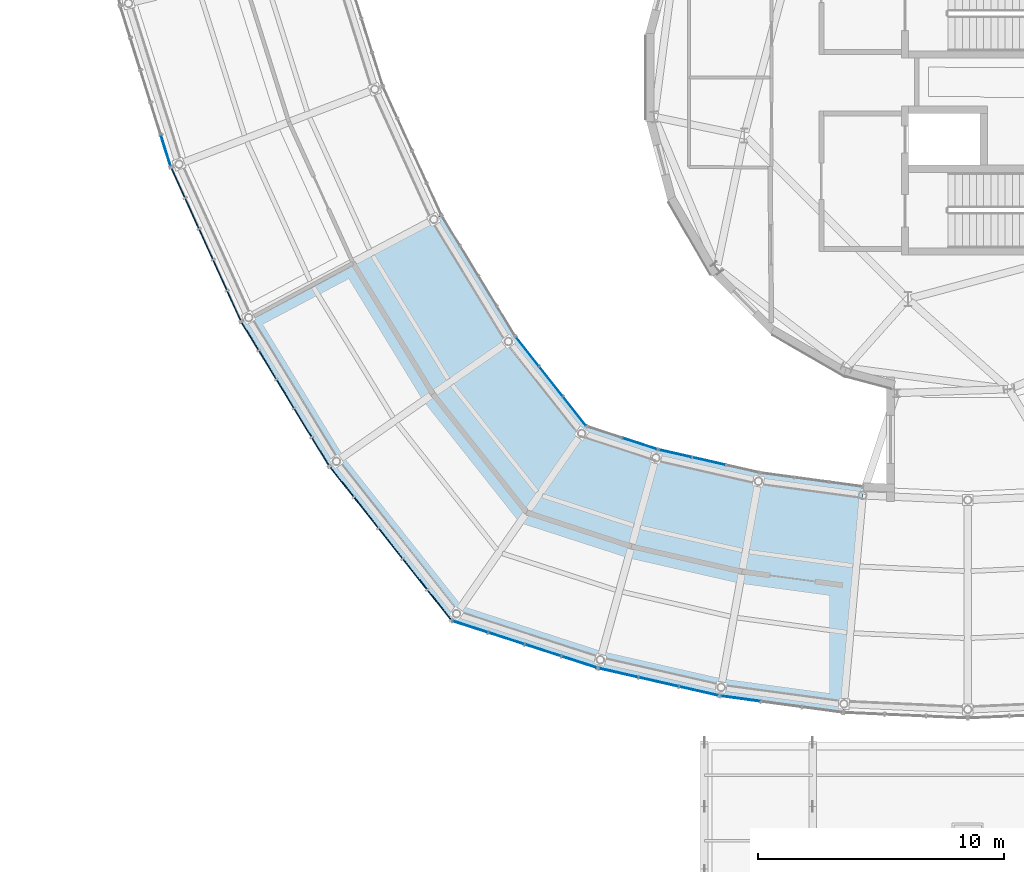
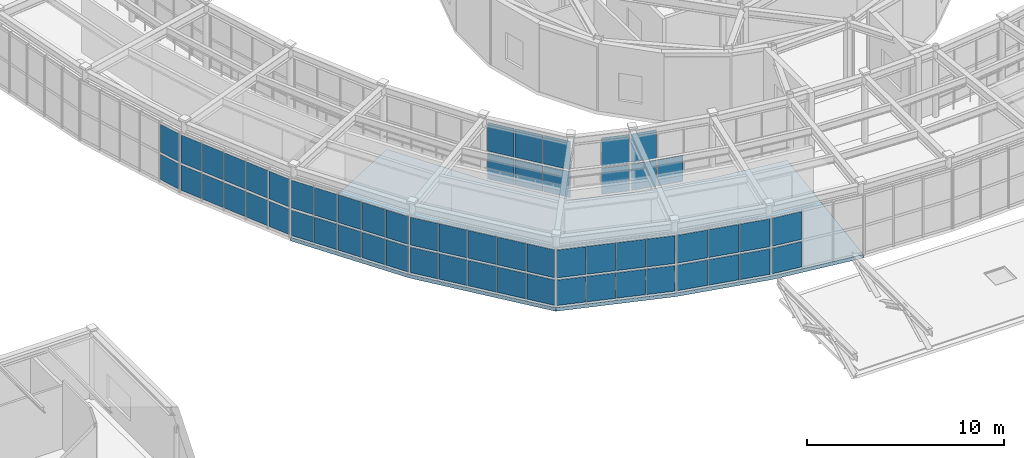
# One storey, part 56 of 103: 59 plates, 1 slab, 10 elements without a shape of their own.
"""IFC4 building model written with IfcOpenShell, lengths in metres."""

from ifc_helpers import new_model, si_unit, direction, frame, origin, origin_2d, place, context, subcontext, project, spatial, polyline, rectangle, outline, extrude, material, layer, layer_set, type_object, element, aggregate, save


model = new_model("IFC4")

# Units and contexts
model_context = context("Model", 3, precision=1e-05, world=origin(), true_north=direction((0.0, 1.0)))
body_context = subcontext(model_context, "Body", "Model", "MODEL_VIEW")
ifc_project = project(units=[si_unit("LENGTHUNIT", "METRE"), si_unit("AREAUNIT", "SQUARE_METRE"), si_unit("VOLUMEUNIT", "CUBIC_METRE"), si_unit("PLANEANGLEUNIT", "RADIAN"), si_unit("MASSUNIT", "GRAM", prefix="KILO")], contexts=[model_context])

# Site, building, storey
site_placement = place(None, origin())
site = spatial("IfcSite", under=ifc_project, at=site_placement, CompositionType="ELEMENT")
building_placement = place(site_placement, origin())
building = spatial("IfcBuilding", under=site, at=building_placement, Name="Varnklinge Art Gallery", CompositionType="ELEMENT")
storey_placement = place(building_placement, frame((0.0, 0.0, 5.10009765625)))
storey = spatial("IfcBuildingStorey", under=building, at=storey_placement, Name="L01", CompositionType="ELEMENT", Elevation=5.10009765625)

# Curtain wall, plates
ifc_material_1 = material(Name="Anodised Aluminium", Category="aluminium")
curtain_wall_type_1 = type_object("IfcCurtainWallType", Name="CW-R04", PredefinedType="USERDEFINED", material=ifc_material_1)
curtain_wall_1_placement = place(storey_placement, origin())
curtain_wall_1 = element("IfcCurtainWall", 1, at=curtain_wall_1_placement, inside=storey, type_object=curtain_wall_type_1, Name="L01 Curtain Wall CW-V2I-L01-32", ObjectType="UNITISED CURTAIN WALL", PredefinedType="USERDEFINED")
ifc_material_2 = material(Name="Insulated Low-E Triple Glazing", Category="glass")
ifc_layer_1 = layer(ifc_material_2, 0.031982421875)
ifc_layer_set_1 = layer_set([ifc_layer_1], Name="Insulated Low-E Triple Glazing")
plate_type_1 = type_object("IfcPlateType", Name="GLZ-32", PredefinedType="CURTAIN_PANEL", material=ifc_layer_set_1)
plate_1_placement = place(storey_placement, frame((59.52294921875, 24.866455078125, 0.11767578125), z_axis=(0.0, 0.0, 1.0), x_axis=(-0.620737354217, 0.784018582101, 0.0)))
plate_1 = element("IfcPlate", 2, at=plate_1_placement, type_object=plate_type_1, Name="CW-V2I-L01-32 Glazing Panel 1.1", PredefinedType="CURTAIN_PANEL", context=body_context, shape_type="SweptSolid", body=[
    extrude(rectangle(XDim=1.4658203125, YDim=0.031982421875, at=origin_2d()), origin(), (0.0, 0.0, 1.0), 1.614501953125),
])
plate_2_placement = place(storey_placement, frame((59.52294921875, 24.866455078125, 1.84814453125), z_axis=(0.0, 0.0, 1.0), x_axis=(-0.620737354217, 0.784018582101, 0.0)))
plate_2 = element("IfcPlate", 3, at=plate_2_placement, type_object=plate_type_1, Name="CW-V2I-L01-32 Glazing Panel 1.2", PredefinedType="CURTAIN_PANEL", context=body_context, shape_type="SweptSolid", body=[
    extrude(rectangle(XDim=1.4658203125, YDim=0.031982421875, at=origin_2d()), origin(), (0.0, 0.0, 1.0), 1.763671875),
])
plate_3_placement = place(storey_placement, frame((58.569091796875, 26.0712890625, 0.11767578125), z_axis=(0.0, 0.0, 1.0), x_axis=(-0.620737354217, 0.784018582101, 0.0)))
plate_3 = element("IfcPlate", 4, at=plate_3_placement, type_object=plate_type_1, Name="CW-V2I-L01-32 Glazing Panel 2.1", PredefinedType="CURTAIN_PANEL", context=body_context, shape_type="SweptSolid", body=[
    extrude(rectangle(XDim=1.495849609375, YDim=0.031982421875, at=origin_2d()), origin(), (0.0, 0.0, 1.0), 1.614501953125),
])
plate_4_placement = place(storey_placement, frame((58.569091796875, 26.0712890625, 1.84814453125), z_axis=(0.0, 0.0, 1.0), x_axis=(-0.620737354217, 0.784018582101, 0.0)))
plate_4 = element("IfcPlate", 5, at=plate_4_placement, type_object=plate_type_1, Name="CW-V2I-L01-32 Glazing Panel 2.2", PredefinedType="CURTAIN_PANEL", context=body_context, shape_type="SweptSolid", body=[
    extrude(rectangle(XDim=1.495849609375, YDim=0.031982421875, at=origin_2d()), origin(), (0.0, 0.0, 1.0), 1.763671875),
])
plate_5_placement = place(storey_placement, frame((57.614990234375, 27.2763671875, 0.11767578125), z_axis=(0.0, 0.0, 1.0), x_axis=(-0.620737354217, 0.784018582101, 0.0)))
plate_5 = element("IfcPlate", 6, at=plate_5_placement, type_object=plate_type_1, Name="CW-V2I-L01-32 Glazing Panel 3.1", PredefinedType="CURTAIN_PANEL", context=body_context, shape_type="SweptSolid", body=[
    extrude(rectangle(XDim=1.4658203125, YDim=0.031982421875, at=origin_2d()), origin(), (0.0, 0.0, 1.0), 1.614501953125),
])
plate_6_placement = place(storey_placement, frame((57.614990234375, 27.2763671875, 1.84814453125), z_axis=(0.0, 0.0, 1.0), x_axis=(-0.620737354217, 0.784018582101, 0.0)))
plate_6 = element("IfcPlate", 7, at=plate_6_placement, type_object=plate_type_1, Name="CW-V2I-L01-32 Glazing Panel 3.2", PredefinedType="CURTAIN_PANEL", context=body_context, shape_type="SweptSolid", body=[
    extrude(rectangle(XDim=1.4658203125, YDim=0.031982421875, at=origin_2d()), origin(), (0.0, 0.0, 1.0), 1.763671875),
])
aggregate(curtain_wall_1, [plate_1, plate_2, plate_3, plate_4, plate_5, plate_6])

curtain_wall_2_placement = place(storey_placement, origin())
curtain_wall_2 = element("IfcCurtainWall", 8, at=curtain_wall_2_placement, inside=storey, type_object=curtain_wall_type_1, Name="L01 Curtain Wall CW-V2I-L01-33", ObjectType="UNITISED CURTAIN WALL", PredefinedType="USERDEFINED")
plate_7_placement = place(storey_placement, frame((62.180419921875, 23.54443359375, 0.11767578125), z_axis=(0.0, 0.0, 1.0), x_axis=(-0.951272019071, 0.30835295642, 0.0)))
plate_7 = element("IfcPlate", 9, at=plate_7_placement, type_object=plate_type_1, Name="CW-V2I-L01-33 Glazing Panel 1.1", PredefinedType="CURTAIN_PANEL", context=body_context, shape_type="SweptSolid", body=[
    extrude(rectangle(XDim=1.442138671875, YDim=0.031982421875, at=origin_2d()), origin(), (0.0, 0.0, 1.0), 1.614501953125),
])
plate_8_placement = place(storey_placement, frame((62.180419921875, 23.54443359375, 1.84814453125), z_axis=(0.0, 0.0, 1.0), x_axis=(-0.951272019071, 0.30835295642, 0.0)))
plate_8 = element("IfcPlate", 10, at=plate_8_placement, type_object=plate_type_1, Name="CW-V2I-L01-33 Glazing Panel 1.2", PredefinedType="CURTAIN_PANEL", context=body_context, shape_type="SweptSolid", body=[
    extrude(rectangle(XDim=1.442138671875, YDim=0.031982421875, at=origin_2d()), origin(), (0.0, 0.0, 1.0), 1.763671875),
])
aggregate(curtain_wall_2, [plate_7, plate_8])

curtain_wall_3_placement = place(storey_placement, origin())
curtain_wall_3 = element("IfcCurtainWall", 11, at=curtain_wall_3_placement, inside=storey, type_object=curtain_wall_type_1, Name="L01 Curtain Wall CW-V2I-L01-34", ObjectType="UNITISED CURTAIN WALL", PredefinedType="USERDEFINED")
plate_9_placement = place(storey_placement, frame((64.989501953125, 22.83349609375, 0.11767578125), z_axis=(0.0, 0.0, 1.0), x_axis=(-0.975071959883, 0.221888875454, 0.0)))
plate_9 = element("IfcPlate", 12, at=plate_9_placement, type_object=plate_type_1, Name="CW-V2I-L01-34 Glazing Panel 2.1", PredefinedType="CURTAIN_PANEL", context=body_context, shape_type="SweptSolid", body=[
    extrude(rectangle(XDim=1.358154296875, YDim=0.031982421875, at=origin_2d()), origin(), (0.0, 0.0, 1.0), 1.614501953125),
])
plate_10_placement = place(storey_placement, frame((63.62548828125, 23.143798828125, 0.11767578125), z_axis=(0.0, 0.0, 1.0), x_axis=(-0.975071959883, 0.221888875454, 0.0)))
plate_10 = element("IfcPlate", 13, at=plate_10_placement, type_object=plate_type_1, Name="CW-V2I-L01-34 Glazing Panel 3.1", PredefinedType="CURTAIN_PANEL", context=body_context, shape_type="SweptSolid", body=[
    extrude(rectangle(XDim=1.328125, YDim=0.031982421875, at=origin_2d()), origin(), (0.0, 0.0, 1.0), 1.614501953125),
])
plate_11_placement = place(storey_placement, frame((63.62548828125, 23.143798828125, 1.84814453125), z_axis=(0.0, 0.0, 1.0), x_axis=(-0.975071959883, 0.221888875454, 0.0)))
plate_11 = element("IfcPlate", 14, at=plate_11_placement, type_object=plate_type_1, Name="CW-V2I-L01-34 Glazing Panel 3.2", PredefinedType="CURTAIN_PANEL", context=body_context, shape_type="SweptSolid", body=[
    extrude(rectangle(XDim=1.328125, YDim=0.031982421875, at=origin_2d()), origin(), (0.0, 0.0, 1.0), 1.763671875),
])
aggregate(curtain_wall_3, [plate_9, plate_10, plate_11])

ifc_material_3 = material(Name="Anodised Aluminium", Category="aluminium")
curtain_wall_type_2 = type_object("IfcCurtainWallType", Name="CW-R02", PredefinedType="USERDEFINED", material=ifc_material_3)
curtain_wall_4_placement = place(storey_placement, origin())
curtain_wall_4 = element("IfcCurtainWall", 15, at=curtain_wall_4_placement, inside=storey, type_object=curtain_wall_type_2, Name="L01 Curtain Wall CW-V2O-L01-29", ObjectType="UNITISED CURTAIN WALL", PredefinedType="USERDEFINED")
ifc_material_4 = material(Name="Insulated Low-E Triple Glazing", Category="glass")
ifc_layer_2 = layer(ifc_material_4, 0.0380859375)
ifc_layer_set_2 = layer_set([ifc_layer_2], Name="Insulated Low-E Triple Glazing")
plate_type_2 = type_object("IfcPlateType", Name="GLZ-38", PredefinedType="CURTAIN_PANEL", material=ifc_layer_set_2)
plate_12_placement = place(storey_placement, frame((42.915283203125, 35.450439453125, 0.14794921875), z_axis=(0.0, 0.0, 1.0), x_axis=(0.299706904751, -0.954031326134, 0.0)))
plate_12 = element("IfcPlate", 16, at=plate_12_placement, type_object=plate_type_2, Name="CW-V2O-L01-29 Glazing Panel 5.1", PredefinedType="CURTAIN_PANEL", context=body_context, shape_type="SweptSolid", body=[
    extrude(rectangle(XDim=1.2841796875, YDim=0.0380859375, at=origin_2d()), origin(), (0.0, 0.0, 1.0), 1.5693359375),
])
plate_13_placement = place(storey_placement, frame((42.915283203125, 35.450439453125, 1.86328125), z_axis=(0.0, 0.0, 1.0), x_axis=(0.299706904751, -0.954031326134, 0.0)))
plate_13 = element("IfcPlate", 17, at=plate_13_placement, type_object=plate_type_2, Name="CW-V2O-L01-29 Glazing Panel 5.2", PredefinedType="CURTAIN_PANEL", context=body_context, shape_type="SweptSolid", body=[
    extrude(rectangle(XDim=1.2841796875, YDim=0.0380859375, at=origin_2d()), origin(), (0.0, 0.0, 1.0), 1.718505859375),
])
aggregate(curtain_wall_4, [plate_12, plate_13])

curtain_wall_5_placement = place(storey_placement, origin())
curtain_wall_5 = element("IfcCurtainWall", 18, at=curtain_wall_5_placement, inside=storey, type_object=curtain_wall_type_2, Name="L01 Curtain Wall CW-V2O-L01-30", ObjectType="UNITISED CURTAIN WALL", PredefinedType="USERDEFINED")
plate_14_placement = place(storey_placement, frame((43.418212890625, 34.1357421875, 0.14794921875), z_axis=(0.0, 0.0, 1.0), x_axis=(0.413422293217, -0.910539404678, 0.0)))
plate_14 = element("IfcPlate", 19, at=plate_14_placement, type_object=plate_type_2, Name="CW-V2O-L01-30 Glazing Panel 1.1", PredefinedType="CURTAIN_PANEL", context=body_context, shape_type="SweptSolid", body=[
    extrude(rectangle(XDim=1.2841796875, YDim=0.0380859375, at=origin_2d()), origin(), (0.0, 0.0, 1.0), 1.5693359375),
])
plate_15_placement = place(storey_placement, frame((43.418212890625, 34.1357421875, 1.86328125), z_axis=(0.0, 0.0, 1.0), x_axis=(0.413422293217, -0.910539404678, 0.0)))
plate_15 = element("IfcPlate", 20, at=plate_15_placement, type_object=plate_type_2, Name="CW-V2O-L01-30 Glazing Panel 1.2", PredefinedType="CURTAIN_PANEL", context=body_context, shape_type="SweptSolid", body=[
    extrude(rectangle(XDim=1.2841796875, YDim=0.0380859375, at=origin_2d()), origin(), (0.0, 0.0, 1.0), 1.718505859375),
])
plate_16_placement = place(storey_placement, frame((43.98095703125, 32.89599609375, 0.14794921875), z_axis=(0.0, 0.0, 1.0), x_axis=(0.413422293217, -0.910539404678, 0.0)))
plate_16 = element("IfcPlate", 21, at=plate_16_placement, type_object=plate_type_2, Name="CW-V2O-L01-30 Glazing Panel 2.1", PredefinedType="CURTAIN_PANEL", context=body_context, shape_type="SweptSolid", body=[
    extrude(rectangle(XDim=1.31689453125, YDim=0.0380859375, at=origin_2d()), origin(), (0.0, 0.0, 1.0), 1.5693359375),
])
plate_17_placement = place(storey_placement, frame((43.98095703125, 32.89599609375, 1.86328125), z_axis=(0.0, 0.0, 1.0), x_axis=(0.413422293217, -0.910539404678, 0.0)))
plate_17 = element("IfcPlate", 22, at=plate_17_placement, type_object=plate_type_2, Name="CW-V2O-L01-30 Glazing Panel 2.2", PredefinedType="CURTAIN_PANEL", context=body_context, shape_type="SweptSolid", body=[
    extrude(rectangle(XDim=1.31689453125, YDim=0.0380859375, at=origin_2d()), origin(), (0.0, 0.0, 1.0), 1.718505859375),
])
plate_18_placement = place(storey_placement, frame((44.550537109375, 31.6416015625, 0.14794921875), z_axis=(0.0, 0.0, 1.0), x_axis=(0.413422293217, -0.910539404678, 0.0)))
plate_18 = element("IfcPlate", 23, at=plate_18_placement, type_object=plate_type_2, Name="CW-V2O-L01-30 Glazing Panel 3.1", PredefinedType="CURTAIN_PANEL", context=body_context, shape_type="SweptSolid", body=[
    extrude(rectangle(XDim=1.31689453125, YDim=0.0380859375, at=origin_2d()), origin(), (0.0, 0.0, 1.0), 1.5693359375),
])
plate_19_placement = place(storey_placement, frame((44.550537109375, 31.6416015625, 1.86328125), z_axis=(0.0, 0.0, 1.0), x_axis=(0.413422293217, -0.910539404678, 0.0)))
plate_19 = element("IfcPlate", 24, at=plate_19_placement, type_object=plate_type_2, Name="CW-V2O-L01-30 Glazing Panel 3.2", PredefinedType="CURTAIN_PANEL", context=body_context, shape_type="SweptSolid", body=[
    extrude(rectangle(XDim=1.31689453125, YDim=0.0380859375, at=origin_2d()), origin(), (0.0, 0.0, 1.0), 1.718505859375),
])
plate_20_placement = place(storey_placement, frame((45.1201171875, 30.386962890625, 0.14794921875), z_axis=(0.0, 0.0, 1.0), x_axis=(0.413422293217, -0.910539404678, 0.0)))
plate_20 = element("IfcPlate", 25, at=plate_20_placement, type_object=plate_type_2, Name="CW-V2O-L01-30 Glazing Panel 4.1", PredefinedType="CURTAIN_PANEL", context=body_context, shape_type="SweptSolid", body=[
    extrude(rectangle(XDim=1.31689453125, YDim=0.0380859375, at=origin_2d()), origin(), (0.0, 0.0, 1.0), 1.5693359375),
])
plate_21_placement = place(storey_placement, frame((45.1201171875, 30.386962890625, 1.86328125), z_axis=(0.0, 0.0, 1.0), x_axis=(0.413422293217, -0.910539404678, 0.0)))
plate_21 = element("IfcPlate", 26, at=plate_21_placement, type_object=plate_type_2, Name="CW-V2O-L01-30 Glazing Panel 4.2", PredefinedType="CURTAIN_PANEL", context=body_context, shape_type="SweptSolid", body=[
    extrude(rectangle(XDim=1.31689453125, YDim=0.0380859375, at=origin_2d()), origin(), (0.0, 0.0, 1.0), 1.718505859375),
])
plate_22_placement = place(storey_placement, frame((45.68310546875, 29.147216796875, 0.14794921875), z_axis=(0.0, 0.0, 1.0), x_axis=(0.413422293217, -0.910539404678, 0.0)))
plate_22 = element("IfcPlate", 27, at=plate_22_placement, type_object=plate_type_2, Name="CW-V2O-L01-30 Glazing Panel 5.1", PredefinedType="CURTAIN_PANEL", context=body_context, shape_type="SweptSolid", body=[
    extrude(rectangle(XDim=1.2841796875, YDim=0.0380859375, at=origin_2d()), origin(), (0.0, 0.0, 1.0), 1.5693359375),
])
plate_23_placement = place(storey_placement, frame((45.68310546875, 29.147216796875, 1.86328125), z_axis=(0.0, 0.0, 1.0), x_axis=(0.413422293217, -0.910539404678, 0.0)))
plate_23 = element("IfcPlate", 28, at=plate_23_placement, type_object=plate_type_2, Name="CW-V2O-L01-30 Glazing Panel 5.2", PredefinedType="CURTAIN_PANEL", context=body_context, shape_type="SweptSolid", body=[
    extrude(rectangle(XDim=1.2841796875, YDim=0.0380859375, at=origin_2d()), origin(), (0.0, 0.0, 1.0), 1.718505859375),
])
aggregate(curtain_wall_5, [plate_14, plate_15, plate_16, plate_17, plate_18, plate_19, plate_20, plate_21, plate_22, plate_23])

curtain_wall_6_placement = place(storey_placement, origin())
curtain_wall_6 = element("IfcCurtainWall", 29, at=curtain_wall_6_placement, inside=storey, type_object=curtain_wall_type_2, Name="L01 Curtain Wall CW-V2O-L01-31", ObjectType="UNITISED CURTAIN WALL", PredefinedType="USERDEFINED")
plate_24_placement = place(storey_placement, frame((46.341796875, 27.9033203125, 0.14794921875), z_axis=(0.0, 0.0, 1.0), x_axis=(0.520860651188, -0.85364171761, 0.0)))
plate_24 = element("IfcPlate", 30, at=plate_24_placement, type_object=plate_type_2, Name="CW-V2O-L01-31 Glazing Panel 1.1", PredefinedType="CURTAIN_PANEL", context=body_context, shape_type="SweptSolid", body=[
    extrude(rectangle(XDim=1.2841796875, YDim=0.0380859375, at=origin_2d()), origin(), (0.0, 0.0, 1.0), 1.5693359375),
])
plate_25_placement = place(storey_placement, frame((46.341796875, 27.9033203125, 1.86328125), z_axis=(0.0, 0.0, 1.0), x_axis=(0.520860651188, -0.85364171761, 0.0)))
plate_25 = element("IfcPlate", 31, at=plate_25_placement, type_object=plate_type_2, Name="CW-V2O-L01-31 Glazing Panel 1.2", PredefinedType="CURTAIN_PANEL", context=body_context, shape_type="SweptSolid", body=[
    extrude(rectangle(XDim=1.2841796875, YDim=0.0380859375, at=origin_2d()), origin(), (0.0, 0.0, 1.0), 1.718505859375),
])
plate_26_placement = place(storey_placement, frame((47.051025390625, 26.7412109375, 0.14794921875), z_axis=(0.0, 0.0, 1.0), x_axis=(0.520860651188, -0.85364171761, 0.0)))
plate_26 = element("IfcPlate", 32, at=plate_26_placement, type_object=plate_type_2, Name="CW-V2O-L01-31 Glazing Panel 2.1", PredefinedType="CURTAIN_PANEL", context=body_context, shape_type="SweptSolid", body=[
    extrude(rectangle(XDim=1.316650390625, YDim=0.0380859375, at=origin_2d()), origin(), (0.0, 0.0, 1.0), 1.5693359375),
])
plate_27_placement = place(storey_placement, frame((47.051025390625, 26.7412109375, 1.86328125), z_axis=(0.0, 0.0, 1.0), x_axis=(0.520860651188, -0.85364171761, 0.0)))
plate_27 = element("IfcPlate", 33, at=plate_27_placement, type_object=plate_type_2, Name="CW-V2O-L01-31 Glazing Panel 2.2", PredefinedType="CURTAIN_PANEL", context=body_context, shape_type="SweptSolid", body=[
    extrude(rectangle(XDim=1.316650390625, YDim=0.0380859375, at=origin_2d()), origin(), (0.0, 0.0, 1.0), 1.718505859375),
])
plate_28_placement = place(storey_placement, frame((47.768798828125, 25.565185546875, 0.14794921875), z_axis=(0.0, 0.0, 1.0), x_axis=(0.520860651188, -0.85364171761, 0.0)))
plate_28 = element("IfcPlate", 34, at=plate_28_placement, type_object=plate_type_2, Name="CW-V2O-L01-31 Glazing Panel 3.1", PredefinedType="CURTAIN_PANEL", context=body_context, shape_type="SweptSolid", body=[
    extrude(rectangle(XDim=1.316650390625, YDim=0.0380859375, at=origin_2d()), origin(), (0.0, 0.0, 1.0), 1.5693359375),
])
plate_29_placement = place(storey_placement, frame((47.768798828125, 25.565185546875, 1.86328125), z_axis=(0.0, 0.0, 1.0), x_axis=(0.520860651188, -0.85364171761, 0.0)))
plate_29 = element("IfcPlate", 35, at=plate_29_placement, type_object=plate_type_2, Name="CW-V2O-L01-31 Glazing Panel 3.2", PredefinedType="CURTAIN_PANEL", context=body_context, shape_type="SweptSolid", body=[
    extrude(rectangle(XDim=1.316650390625, YDim=0.0380859375, at=origin_2d()), origin(), (0.0, 0.0, 1.0), 1.718505859375),
])
plate_30_placement = place(storey_placement, frame((48.486572265625, 24.38916015625, 0.14794921875), z_axis=(0.0, 0.0, 1.0), x_axis=(0.520860651188, -0.85364171761, 0.0)))
plate_30 = element("IfcPlate", 36, at=plate_30_placement, type_object=plate_type_2, Name="CW-V2O-L01-31 Glazing Panel 4.1", PredefinedType="CURTAIN_PANEL", context=body_context, shape_type="SweptSolid", body=[
    extrude(rectangle(XDim=1.316650390625, YDim=0.0380859375, at=origin_2d()), origin(), (0.0, 0.0, 1.0), 1.5693359375),
])
plate_31_placement = place(storey_placement, frame((48.486572265625, 24.38916015625, 1.86328125), z_axis=(0.0, 0.0, 1.0), x_axis=(0.520860651188, -0.85364171761, 0.0)))
plate_31 = element("IfcPlate", 37, at=plate_31_placement, type_object=plate_type_2, Name="CW-V2O-L01-31 Glazing Panel 4.2", PredefinedType="CURTAIN_PANEL", context=body_context, shape_type="SweptSolid", body=[
    extrude(rectangle(XDim=1.316650390625, YDim=0.0380859375, at=origin_2d()), origin(), (0.0, 0.0, 1.0), 1.718505859375),
])
plate_32_placement = place(storey_placement, frame((49.19580078125, 23.226806640625, 0.14794921875), z_axis=(0.0, 0.0, 1.0), x_axis=(0.520860651188, -0.85364171761, 0.0)))
plate_32 = element("IfcPlate", 38, at=plate_32_placement, type_object=plate_type_2, Name="CW-V2O-L01-31 Glazing Panel 5.1", PredefinedType="CURTAIN_PANEL", context=body_context, shape_type="SweptSolid", body=[
    extrude(rectangle(XDim=1.2841796875, YDim=0.0380859375, at=origin_2d()), origin(), (0.0, 0.0, 1.0), 1.5693359375),
])
plate_33_placement = place(storey_placement, frame((49.19580078125, 23.226806640625, 1.86328125), z_axis=(0.0, 0.0, 1.0), x_axis=(0.520860651188, -0.85364171761, 0.0)))
plate_33 = element("IfcPlate", 39, at=plate_33_placement, type_object=plate_type_2, Name="CW-V2O-L01-31 Glazing Panel 5.2", PredefinedType="CURTAIN_PANEL", context=body_context, shape_type="SweptSolid", body=[
    extrude(rectangle(XDim=1.2841796875, YDim=0.0380859375, at=origin_2d()), origin(), (0.0, 0.0, 1.0), 1.718505859375),
])
aggregate(curtain_wall_6, [plate_24, plate_25, plate_26, plate_27, plate_28, plate_29, plate_30, plate_31, plate_32, plate_33])

curtain_wall_7_placement = place(storey_placement, origin())
curtain_wall_7 = element("IfcCurtainWall", 40, at=curtain_wall_7_placement, inside=storey, type_object=curtain_wall_type_2, Name="L01 Curtain Wall CW-V2O-L01-32", ObjectType="UNITISED CURTAIN WALL", PredefinedType="USERDEFINED")
plate_34_placement = place(storey_placement, frame((50.069580078125, 21.985107421875, 0.14794921875), z_axis=(0.0, 0.0, 1.0), x_axis=(0.620737354217, -0.784018582101, 0.0)))
plate_34 = element("IfcPlate", 41, at=plate_34_placement, type_object=plate_type_2, Name="CW-V2O-L01-32 Glazing Panel 1.1", PredefinedType="CURTAIN_PANEL", context=body_context, shape_type="SweptSolid", body=[
    extrude(rectangle(XDim=1.506591796875, YDim=0.0380859375, at=origin_2d()), origin(), (0.0, 0.0, 1.0), 1.5693359375),
])
plate_35_placement = place(storey_placement, frame((50.069580078125, 21.985107421875, 1.86328125), z_axis=(0.0, 0.0, 1.0), x_axis=(0.620737354217, -0.784018582101, 0.0)))
plate_35 = element("IfcPlate", 42, at=plate_35_placement, type_object=plate_type_2, Name="CW-V2O-L01-32 Glazing Panel 1.2", PredefinedType="CURTAIN_PANEL", context=body_context, shape_type="SweptSolid", body=[
    extrude(rectangle(XDim=1.506591796875, YDim=0.0380859375, at=origin_2d()), origin(), (0.0, 0.0, 1.0), 1.718505859375),
])
plate_36_placement = place(storey_placement, frame((51.052978515625, 20.743408203125, 0.14794921875), z_axis=(0.0, 0.0, 1.0), x_axis=(0.620737354217, -0.784018582101, 0.0)))
plate_36 = element("IfcPlate", 43, at=plate_36_placement, type_object=plate_type_2, Name="CW-V2O-L01-32 Glazing Panel 2.1", PredefinedType="CURTAIN_PANEL", context=body_context, shape_type="SweptSolid", body=[
    extrude(rectangle(XDim=1.5390625, YDim=0.0380859375, at=origin_2d()), origin(), (0.0, 0.0, 1.0), 1.5693359375),
])
plate_37_placement = place(storey_placement, frame((51.052978515625, 20.743408203125, 1.86328125), z_axis=(0.0, 0.0, 1.0), x_axis=(0.620737354217, -0.784018582101, 0.0)))
plate_37 = element("IfcPlate", 44, at=plate_37_placement, type_object=plate_type_2, Name="CW-V2O-L01-32 Glazing Panel 2.2", PredefinedType="CURTAIN_PANEL", context=body_context, shape_type="SweptSolid", body=[
    extrude(rectangle(XDim=1.5390625, YDim=0.0380859375, at=origin_2d()), origin(), (0.0, 0.0, 1.0), 1.718505859375),
])
plate_38_placement = place(storey_placement, frame((52.046142578125, 19.489013671875, 0.14794921875), z_axis=(0.0, 0.0, 1.0), x_axis=(0.620737354217, -0.784018582101, 0.0)))
plate_38 = element("IfcPlate", 45, at=plate_38_placement, type_object=plate_type_2, Name="CW-V2O-L01-32 Glazing Panel 3.1", PredefinedType="CURTAIN_PANEL", context=body_context, shape_type="SweptSolid", body=[
    extrude(rectangle(XDim=1.5390625, YDim=0.0380859375, at=origin_2d()), origin(), (0.0, 0.0, 1.0), 1.5693359375),
])
plate_39_placement = place(storey_placement, frame((52.046142578125, 19.489013671875, 1.86328125), z_axis=(0.0, 0.0, 1.0), x_axis=(0.620737354217, -0.784018582101, 0.0)))
plate_39 = element("IfcPlate", 46, at=plate_39_placement, type_object=plate_type_2, Name="CW-V2O-L01-32 Glazing Panel 3.2", PredefinedType="CURTAIN_PANEL", context=body_context, shape_type="SweptSolid", body=[
    extrude(rectangle(XDim=1.5390625, YDim=0.0380859375, at=origin_2d()), origin(), (0.0, 0.0, 1.0), 1.718505859375),
])
plate_40_placement = place(storey_placement, frame((53.03955078125, 18.234619140625, 0.14794921875), z_axis=(0.0, 0.0, 1.0), x_axis=(0.620737354217, -0.784018582101, 0.0)))
plate_40 = element("IfcPlate", 47, at=plate_40_placement, type_object=plate_type_2, Name="CW-V2O-L01-32 Glazing Panel 4.1", PredefinedType="CURTAIN_PANEL", context=body_context, shape_type="SweptSolid", body=[
    extrude(rectangle(XDim=1.5390625, YDim=0.0380859375, at=origin_2d()), origin(), (0.0, 0.0, 1.0), 1.5693359375),
])
plate_41_placement = place(storey_placement, frame((53.03955078125, 18.234619140625, 1.86328125), z_axis=(0.0, 0.0, 1.0), x_axis=(0.620737354217, -0.784018582101, 0.0)))
plate_41 = element("IfcPlate", 48, at=plate_41_placement, type_object=plate_type_2, Name="CW-V2O-L01-32 Glazing Panel 4.2", PredefinedType="CURTAIN_PANEL", context=body_context, shape_type="SweptSolid", body=[
    extrude(rectangle(XDim=1.5390625, YDim=0.0380859375, at=origin_2d()), origin(), (0.0, 0.0, 1.0), 1.718505859375),
])
plate_42_placement = place(storey_placement, frame((54.022705078125, 16.992919921875, 0.14794921875), z_axis=(0.0, 0.0, 1.0), x_axis=(0.620737354217, -0.784018582101, 0.0)))
plate_42 = element("IfcPlate", 49, at=plate_42_placement, type_object=plate_type_2, Name="CW-V2O-L01-32 Glazing Panel 5.1", PredefinedType="CURTAIN_PANEL", context=body_context, shape_type="SweptSolid", body=[
    extrude(rectangle(XDim=1.506591796875, YDim=0.0380859375, at=origin_2d()), origin(), (0.0, 0.0, 1.0), 1.5693359375),
])
plate_43_placement = place(storey_placement, frame((54.022705078125, 16.992919921875, 1.86328125), z_axis=(0.0, 0.0, 1.0), x_axis=(0.620737354217, -0.784018582101, 0.0)))
plate_43 = element("IfcPlate", 50, at=plate_43_placement, type_object=plate_type_2, Name="CW-V2O-L01-32 Glazing Panel 5.2", PredefinedType="CURTAIN_PANEL", context=body_context, shape_type="SweptSolid", body=[
    extrude(rectangle(XDim=1.506591796875, YDim=0.0380859375, at=origin_2d()), origin(), (0.0, 0.0, 1.0), 1.718505859375),
])
aggregate(curtain_wall_7, [plate_34, plate_35, plate_36, plate_37, plate_38, plate_39, plate_40, plate_41, plate_42, plate_43])

curtain_wall_8_placement = place(storey_placement, origin())
curtain_wall_8 = element("IfcCurtainWall", 51, at=curtain_wall_8_placement, inside=storey, type_object=curtain_wall_type_2, Name="L01 Curtain Wall CW-V2O-L01-33", ObjectType="UNITISED CURTAIN WALL", PredefinedType="USERDEFINED")
plate_44_placement = place(storey_placement, frame((55.288330078125, 16.106689453125, 0.14794921875), z_axis=(0.0, 0.0, 1.0), x_axis=(0.951272019071, -0.30835295642, 0.0)))
plate_44 = element("IfcPlate", 52, at=plate_44_placement, type_object=plate_type_2, Name="CW-V2O-L01-33 Glazing Panel 1.1", PredefinedType="CURTAIN_PANEL", context=body_context, shape_type="SweptSolid", body=[
    extrude(rectangle(XDim=1.469482421875, YDim=0.0380859375, at=origin_2d()), origin(), (0.0, 0.0, 1.0), 1.5693359375),
])
plate_45_placement = place(storey_placement, frame((55.288330078125, 16.106689453125, 1.86328125), z_axis=(0.0, 0.0, 1.0), x_axis=(0.951272019071, -0.30835295642, 0.0)))
plate_45 = element("IfcPlate", 53, at=plate_45_placement, type_object=plate_type_2, Name="CW-V2O-L01-33 Glazing Panel 1.2", PredefinedType="CURTAIN_PANEL", context=body_context, shape_type="SweptSolid", body=[
    extrude(rectangle(XDim=1.469482421875, YDim=0.0380859375, at=origin_2d()), origin(), (0.0, 0.0, 1.0), 1.718505859375),
])
plate_46_placement = place(storey_placement, frame((56.760009765625, 15.6298828125, 0.14794921875), z_axis=(0.0, 0.0, 1.0), x_axis=(0.951272019071, -0.30835295642, 0.0)))
plate_46 = element("IfcPlate", 54, at=plate_46_placement, type_object=plate_type_2, Name="CW-V2O-L01-33 Glazing Panel 2.1", PredefinedType="CURTAIN_PANEL", context=body_context, shape_type="SweptSolid", body=[
    extrude(rectangle(XDim=1.502197265625, YDim=0.0380859375, at=origin_2d()), origin(), (0.0, 0.0, 1.0), 1.5693359375),
])
plate_47_placement = place(storey_placement, frame((56.760009765625, 15.6298828125, 1.86328125), z_axis=(0.0, 0.0, 1.0), x_axis=(0.951272019071, -0.30835295642, 0.0)))
plate_47 = element("IfcPlate", 55, at=plate_47_placement, type_object=plate_type_2, Name="CW-V2O-L01-33 Glazing Panel 2.2", PredefinedType="CURTAIN_PANEL", context=body_context, shape_type="SweptSolid", body=[
    extrude(rectangle(XDim=1.502197265625, YDim=0.0380859375, at=origin_2d()), origin(), (0.0, 0.0, 1.0), 1.718505859375),
])
plate_48_placement = place(storey_placement, frame((58.246826171875, 15.14794921875, 0.14794921875), z_axis=(0.0, 0.0, 1.0), x_axis=(0.951272019071, -0.30835295642, 0.0)))
plate_48 = element("IfcPlate", 56, at=plate_48_placement, type_object=plate_type_2, Name="CW-V2O-L01-33 Glazing Panel 3.1", PredefinedType="CURTAIN_PANEL", context=body_context, shape_type="SweptSolid", body=[
    extrude(rectangle(XDim=1.502197265625, YDim=0.0380859375, at=origin_2d()), origin(), (0.0, 0.0, 1.0), 1.5693359375),
])
plate_49_placement = place(storey_placement, frame((58.246826171875, 15.14794921875, 1.86328125), z_axis=(0.0, 0.0, 1.0), x_axis=(0.951272019071, -0.30835295642, 0.0)))
plate_49 = element("IfcPlate", 57, at=plate_49_placement, type_object=plate_type_2, Name="CW-V2O-L01-33 Glazing Panel 3.2", PredefinedType="CURTAIN_PANEL", context=body_context, shape_type="SweptSolid", body=[
    extrude(rectangle(XDim=1.502197265625, YDim=0.0380859375, at=origin_2d()), origin(), (0.0, 0.0, 1.0), 1.718505859375),
])
plate_50_placement = place(storey_placement, frame((59.718505859375, 14.671142578125, 0.14794921875), z_axis=(0.0, 0.0, 1.0), x_axis=(0.951272019071, -0.30835295642, 0.0)))
plate_50 = element("IfcPlate", 58, at=plate_50_placement, type_object=plate_type_2, Name="CW-V2O-L01-33 Glazing Panel 4.1", PredefinedType="CURTAIN_PANEL", context=body_context, shape_type="SweptSolid", body=[
    extrude(rectangle(XDim=1.469482421875, YDim=0.0380859375, at=origin_2d()), origin(), (0.0, 0.0, 1.0), 1.5693359375),
])
plate_51_placement = place(storey_placement, frame((59.718505859375, 14.671142578125, 1.86328125), z_axis=(0.0, 0.0, 1.0), x_axis=(0.951272019071, -0.30835295642, 0.0)))
plate_51 = element("IfcPlate", 59, at=plate_51_placement, type_object=plate_type_2, Name="CW-V2O-L01-33 Glazing Panel 4.2", PredefinedType="CURTAIN_PANEL", context=body_context, shape_type="SweptSolid", body=[
    extrude(rectangle(XDim=1.469482421875, YDim=0.0380859375, at=origin_2d()), origin(), (0.0, 0.0, 1.0), 1.718505859375),
])
aggregate(curtain_wall_8, [plate_44, plate_45, plate_46, plate_47, plate_48, plate_49, plate_50, plate_51])

curtain_wall_9_placement = place(storey_placement, origin())
curtain_wall_9 = element("IfcCurtainWall", 60, at=curtain_wall_9_placement, inside=storey, type_object=curtain_wall_type_1, Name="L01 Curtain Wall CW-V2O-L01-34", ObjectType="UNITISED CURTAIN WALL", PredefinedType="USERDEFINED")
plate_52_placement = place(storey_placement, frame((61.316650390625, 14.234130859375, 0.14794921875), z_axis=(0.0, 0.0, 1.0), x_axis=(0.975071959883, -0.221888875454, 0.0)))
plate_52 = element("IfcPlate", 61, at=plate_52_placement, type_object=plate_type_2, Name="CW-V2O-L01-34 Glazing Panel 1.1", PredefinedType="CURTAIN_PANEL", context=body_context, shape_type="SweptSolid", body=[
    extrude(rectangle(XDim=1.59521484375, YDim=0.0380859375, at=origin_2d()), origin(), (0.0, 0.0, 1.0), 1.5693359375),
])
plate_53_placement = place(storey_placement, frame((61.316650390625, 14.234130859375, 1.86328125), z_axis=(0.0, 0.0, 1.0), x_axis=(0.975071959883, -0.221888875454, 0.0)))
plate_53 = element("IfcPlate", 62, at=plate_53_placement, type_object=plate_type_2, Name="CW-V2O-L01-34 Glazing Panel 1.2", PredefinedType="CURTAIN_PANEL", context=body_context, shape_type="SweptSolid", body=[
    extrude(rectangle(XDim=1.59521484375, YDim=0.0380859375, at=origin_2d()), origin(), (0.0, 0.0, 1.0), 1.718505859375),
])
plate_54_placement = place(storey_placement, frame((62.947509765625, 13.86279296875, 0.14794921875), z_axis=(0.0, 0.0, 1.0), x_axis=(0.975071959883, -0.221888875454, 0.0)))
plate_54 = element("IfcPlate", 63, at=plate_54_placement, type_object=plate_type_2, Name="CW-V2O-L01-34 Glazing Panel 2.1", PredefinedType="CURTAIN_PANEL", context=body_context, shape_type="SweptSolid", body=[
    extrude(rectangle(XDim=1.627685546875, YDim=0.0380859375, at=origin_2d()), origin(), (0.0, 0.0, 1.0), 1.5693359375),
])
plate_55_placement = place(storey_placement, frame((62.947509765625, 13.86279296875, 1.86328125), z_axis=(0.0, 0.0, 1.0), x_axis=(0.975071959883, -0.221888875454, 0.0)))
plate_55 = element("IfcPlate", 64, at=plate_55_placement, type_object=plate_type_2, Name="CW-V2O-L01-34 Glazing Panel 2.2", PredefinedType="CURTAIN_PANEL", context=body_context, shape_type="SweptSolid", body=[
    extrude(rectangle(XDim=1.627685546875, YDim=0.0380859375, at=origin_2d()), origin(), (0.0, 0.0, 1.0), 1.718505859375),
])
plate_56_placement = place(storey_placement, frame((64.578369140625, 13.49169921875, 0.14794921875), z_axis=(0.0, 0.0, 1.0), x_axis=(0.975071959883, -0.221888875454, 0.0)))
plate_56 = element("IfcPlate", 65, at=plate_56_placement, type_object=plate_type_2, Name="CW-V2O-L01-34 Glazing Panel 3.1", PredefinedType="CURTAIN_PANEL", context=body_context, shape_type="SweptSolid", body=[
    extrude(rectangle(XDim=1.59521484375, YDim=0.0380859375, at=origin_2d()), origin(), (0.0, 0.0, 1.0), 1.5693359375),
])
plate_57_placement = place(storey_placement, frame((64.578369140625, 13.49169921875, 1.86328125), z_axis=(0.0, 0.0, 1.0), x_axis=(0.975071959883, -0.221888875454, 0.0)))
plate_57 = element("IfcPlate", 66, at=plate_57_placement, type_object=plate_type_2, Name="CW-V2O-L01-34 Glazing Panel 3.2", PredefinedType="CURTAIN_PANEL", context=body_context, shape_type="SweptSolid", body=[
    extrude(rectangle(XDim=1.59521484375, YDim=0.0380859375, at=origin_2d()), origin(), (0.0, 0.0, 1.0), 1.718505859375),
])
aggregate(curtain_wall_9, [plate_52, plate_53, plate_54, plate_55, plate_56, plate_57])

curtain_wall_10_placement = place(storey_placement, origin())
curtain_wall_10 = element("IfcCurtainWall", 67, at=curtain_wall_10_placement, inside=storey, type_object=curtain_wall_type_1, Name="L01 Curtain Wall CW-V2O-L01-35", ObjectType="UNITISED CURTAIN WALL", PredefinedType="USERDEFINED")
plate_58_placement = place(storey_placement, frame((66.2705078125, 13.185302734375, 0.14794921875), z_axis=(0.0, 0.0, 1.0), x_axis=(0.990983199715, -0.133986185418, 0.0)))
plate_58 = element("IfcPlate", 68, at=plate_58_placement, type_object=plate_type_2, Name="CW-V2O-L01-35 Glazing Panel 1.1", PredefinedType="CURTAIN_PANEL", context=body_context, shape_type="SweptSolid", body=[
    extrude(rectangle(XDim=1.59521484375, YDim=0.0380859375, at=origin_2d()), origin(), (0.0, 0.0, 1.0), 1.5693359375),
])
plate_59_placement = place(storey_placement, frame((66.2705078125, 13.185302734375, 1.86328125), z_axis=(0.0, 0.0, 1.0), x_axis=(0.990983199715, -0.133986185418, 0.0)))
plate_59 = element("IfcPlate", 69, at=plate_59_placement, type_object=plate_type_2, Name="CW-V2O-L01-35 Glazing Panel 1.2", PredefinedType="CURTAIN_PANEL", context=body_context, shape_type="SweptSolid", body=[
    extrude(rectangle(XDim=1.59521484375, YDim=0.0380859375, at=origin_2d()), origin(), (0.0, 0.0, 1.0), 1.718505859375),
])
aggregate(curtain_wall_10, [plate_58, plate_59])

# Slab
ifc_material_5 = material(Name="Concrete C35/45", Category="concrete")
ifc_layer_3 = layer(ifc_material_5, 0.219970703125)
ifc_layer_set_3 = layer_set([ifc_layer_3], Name="Concrete C35/45")
slab_type = type_object("IfcSlabType", Name="SLB-F22", PredefinedType="FLOOR", material=ifc_layer_set_3)
slab_placement = place(storey_placement, frame((0.0, 0.0, -0.22021484375)))
element("IfcSlab", 70, at=slab_placement, inside=storey, type_object=slab_type, Name="L01 Curved Gallery Ring Sector 7", PredefinedType="FLOOR", context=body_context, shape_type="SweptSolid", body=[
    extrude(outline(polyline([(49.56298828125, 22.625), (54.529296875, 16.352783203125), (60.477294921875, 14.42529296875), (65.41748046875, 13.300537109375), (70.4384765625, 12.6220703125), (71.261962890625, 21.79443359375), (67.057861328125, 22.362548828125), (62.92138671875, 23.30419921875), (60.013916015625, 24.246337890625), (57.1240234375, 27.896484375), (54.11962890625, 32.819091796875), (45.974609375, 28.505126953125), (49.56298828125, 22.625)])), origin(), (0.0, 0.0, 1.0), 0.22021484375),
])

save(model, "model.ifc")
